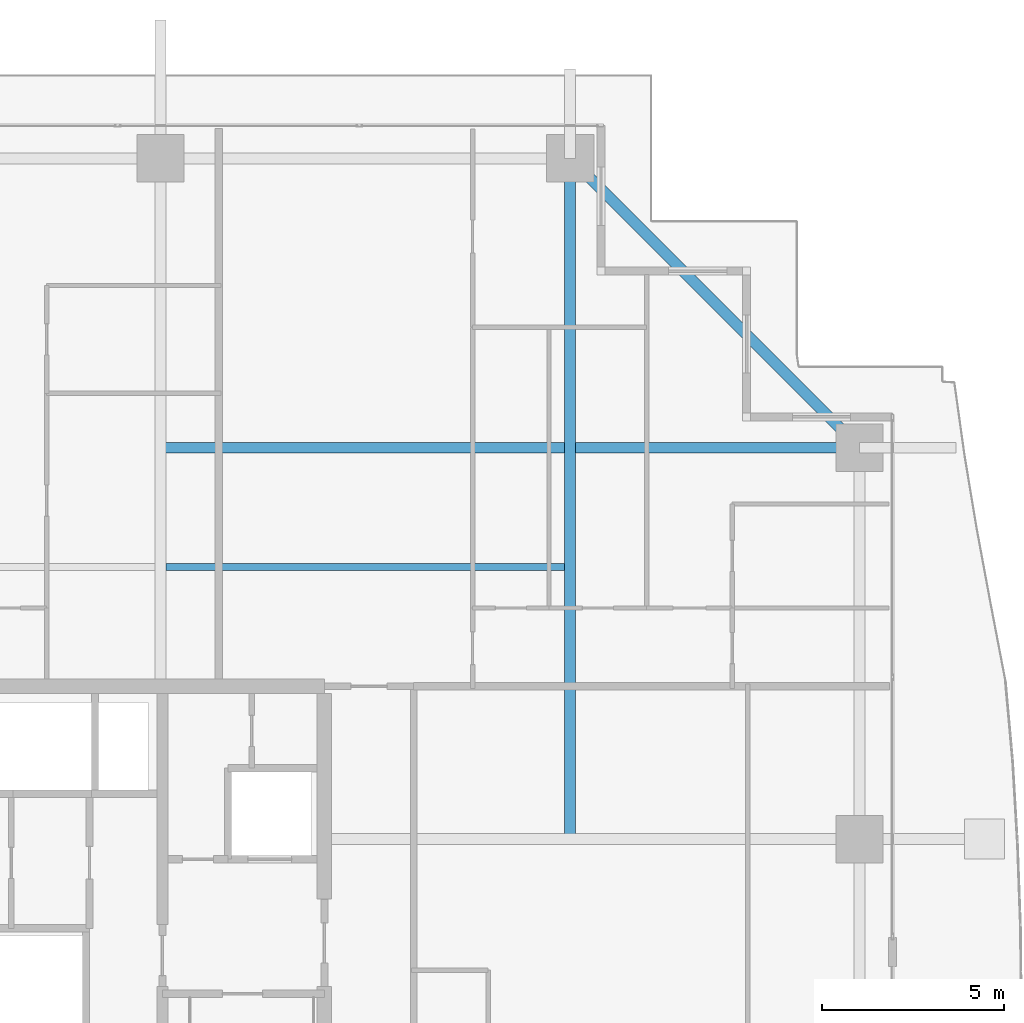
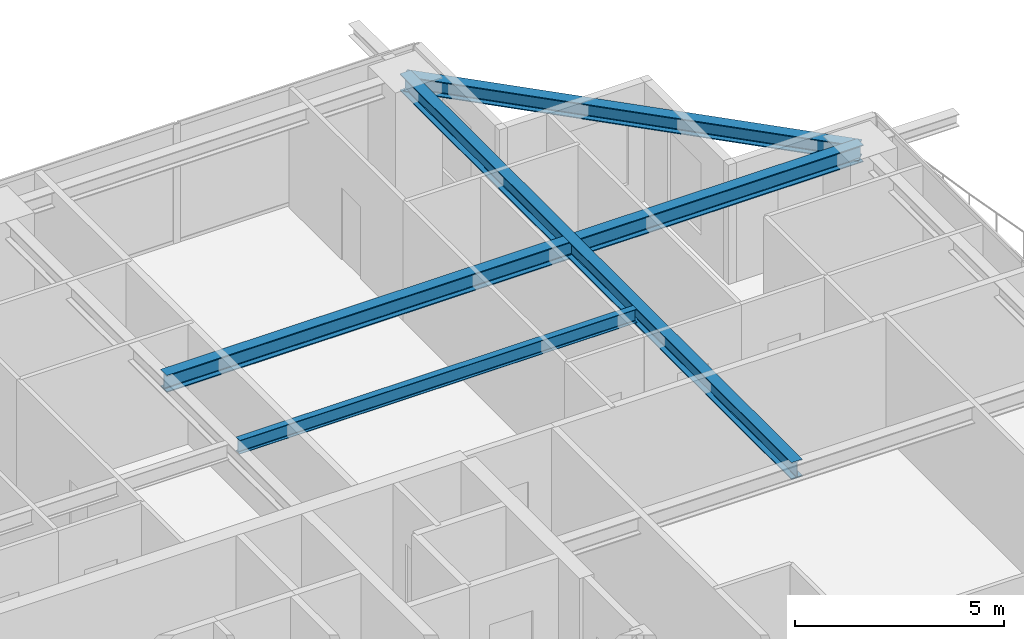
# One storey, part 23 of 38: 4 beams.
"""IFC4 building model written with IfcOpenShell, lengths in metres."""

import ifcopenshell
import ifcopenshell.guid

model = None  # the IFC model being written
_history = None  # IfcOwnerHistory: only IFC2X3 demands one
_inside = {}  # id of a spatial element -> (the spatial element, [elements in it])
_under = {}  # id of a project, library or spatial element -> (it, [spatial elements below it])
_declared = {}  # id of a project -> (the project, [libraries it declares])
_typed = {}  # id of a type object -> (the type object, [elements of that type])
_made_of = {}  # id of a material, layer set ... -> (it, [elements and type objects made of it])


def new_model(schema):
    """Start an empty IFC model of exactly this schema.

    Asked for "IFC4X3", IfcOpenShell would pick the latest addendum, in which some entities
    have other attributes; the version numbers below select the first issue.
    IFC2X3 requires an IfcOwnerHistory on every rooted entity: one is made here for all.
    """
    global model, _history
    if schema == "IFC4X3":
        model = ifcopenshell.file(schema_version=(4, 3, 0, 0))
    else:
        model = ifcopenshell.file(schema=schema)
    _inside.clear()
    _under.clear()
    _declared.clear()
    _typed.clear()
    _made_of.clear()
    _history = None
    if model.schema == "IFC2X3":
        org = make("IfcOrganization", Name="unknown")
        user = make(
            "IfcPersonAndOrganization",
            ThePerson=make("IfcPerson", FamilyName="unknown"),
            TheOrganization=org,
        )
        app = make(
            "IfcApplication",
            ApplicationDeveloper=org,
            Version="unknown",
            ApplicationFullName="unknown",
            ApplicationIdentifier="unknown",
        )
        _history = make(
            "IfcOwnerHistory",
            OwningUser=user,
            OwningApplication=app,
            ChangeAction="ADDED",
            CreationDate=0,
        )
    return model


def make(cls, **values):
    """One entity of the class cls with the attributes given. An attribute that is None is left unset."""
    return model.create_entity(
        cls, **{name: value for name, value in values.items() if value is not None}
    )


def rooted(cls, **values):
    """An entity with a GlobalId (a new one), such as an element, a storey or a relation."""
    return make(cls, GlobalId=ifcopenshell.guid.new(), OwnerHistory=_history, **values)


def si_unit(unit_type, name, prefix=None):
    """IfcSIUnit, for example si_unit("LENGTHUNIT", "METRE", prefix="MILLI")."""
    return make("IfcSIUnit", UnitType=unit_type, Prefix=prefix, Name=name)


def assignment(units):
    """IfcUnitAssignment: the units of a project."""
    return None if units is None else make("IfcUnitAssignment", Units=units)


def point(xyz):
    """IfcCartesianPoint."""
    return None if xyz is None else make("IfcCartesianPoint", Coordinates=xyz)


def direction(xyz):
    """IfcDirection."""
    return None if xyz is None else make("IfcDirection", DirectionRatios=xyz)


def frame(location, z_axis=None, x_axis=None):
    """IfcAxis2Placement3D, a coordinate frame: its origin and axes. An axis left out is left unset."""
    return make(
        "IfcAxis2Placement3D",
        Location=point(location),
        Axis=direction(z_axis),
        RefDirection=direction(x_axis),
    )


def frame_2d(location, x_axis=None):
    """IfcAxis2Placement2D, a coordinate frame in the plane: its origin and x axis."""
    return make(
        "IfcAxis2Placement2D", Location=point(location), RefDirection=direction(x_axis)
    )


def origin():
    """The frame at (0, 0, 0) with its axes left unset."""
    return frame((0.0, 0.0, 0.0))


def origin_2d():
    """The frame at (0, 0) in the plane with its x axis left unset."""
    return frame_2d((0.0, 0.0))


def place(relative_to, where):
    """IfcLocalPlacement: puts the frame where relative to a parent placement (None: the world)."""
    return make(
        "IfcLocalPlacement", PlacementRelTo=relative_to, RelativePlacement=where
    )


def context(
    kind, dimensions, precision=None, world=None, true_north=None, identifier=None
):
    """IfcGeometricRepresentationContext, for example the 3D "Model" context."""
    return make(
        "IfcGeometricRepresentationContext",
        ContextIdentifier=identifier,
        ContextType=kind,
        CoordinateSpaceDimension=dimensions,
        Precision=precision,
        WorldCoordinateSystem=world,
        TrueNorth=true_north,
    )


def subcontext(parent, identifier, kind, view, scale=None):
    """IfcGeometricRepresentationSubContext, for example "Body" below "Model"."""
    return make(
        "IfcGeometricRepresentationSubContext",
        ContextIdentifier=identifier,
        ContextType=kind,
        ParentContext=parent,
        TargetScale=scale,
        TargetView=view,
    )


def project(units=None, contexts=None):
    """IfcProject with its units and contexts."""
    return rooted(
        "IfcProject",
        Name="project",
        RepresentationContexts=contexts,
        UnitsInContext=assignment(units),
    )


def spatial(cls, under=None, at=None, **own):
    """A site, building, storey or space (cls), placed at a placement, below another one or the project."""
    s = rooted(cls, ObjectPlacement=at, **own)
    if under is not None:
        _under.setdefault(under.id(), (under, []))[1].append(s)
    return s


def profile(cls, at=None, kind="AREA", **sizes):
    """A parametric profile (cls). Its sizes go by their IFC names, for example OverallWidth=200.0."""
    return make(cls, ProfileType=kind, Position=at, **sizes)


def i_section(**sizes):
    """IfcIShapeProfileDef."""
    return profile("IfcIShapeProfileDef", **sizes)


def extrude(swept, where, along, depth):
    """IfcExtrudedAreaSolid: the profile swept, set in the frame where, extruded along a direction by depth."""
    return make(
        "IfcExtrudedAreaSolid",
        SweptArea=swept,
        Position=where,
        ExtrudedDirection=direction(along),
        Depth=depth,
    )


def shape(context_of_items, identifier, shape_type, items):
    """IfcShapeRepresentation: the items that make up one representation, for example the "Body"."""
    return make(
        "IfcShapeRepresentation",
        ContextOfItems=context_of_items,
        RepresentationIdentifier=identifier,
        RepresentationType=shape_type,
        Items=items,
    )


def source(mapping_origin, context_of_items, identifier, shape_type, items):
    """IfcRepresentationMap: a shape defined once, which mapped items show again and again."""
    return make(
        "IfcRepresentationMap",
        MappingOrigin=mapping_origin,
        MappedRepresentation=shape(context_of_items, identifier, shape_type, items),
    )


def transform(
    local_origin,
    x_axis=None,
    y_axis=None,
    z_axis=None,
    scale=None,
    scale2=None,
    scale3=None,
    uniform=True,
):
    """IfcCartesianTransformationOperator3D, or its non-uniform kind. x_axis, y_axis, z_axis: its Axis1, 2, 3."""
    if uniform:
        return make(
            "IfcCartesianTransformationOperator3D",
            Axis1=direction(x_axis),
            Axis2=direction(y_axis),
            LocalOrigin=point(local_origin),
            Scale=scale,
            Axis3=direction(z_axis),
        )
    return make(
        "IfcCartesianTransformationOperator3DnonUniform",
        Axis1=direction(x_axis),
        Axis2=direction(y_axis),
        LocalOrigin=point(local_origin),
        Scale=scale,
        Axis3=direction(z_axis),
        Scale2=scale2,
        Scale3=scale3,
    )


def mapped(mapping_source, mapping_target):
    """IfcMappedItem: shows the shape of a source again, moved by a transform."""
    return make(
        "IfcMappedItem", MappingSource=mapping_source, MappingTarget=mapping_target
    )


def material(Name=None, Category=None):
    """IfcMaterial."""
    return make("IfcMaterial", Name=Name, Category=Category)


def material_profile(
    of_material, cross_section, Name=None, Category=None, Priority=None
):
    """IfcMaterialProfile: a cross section and its material."""
    return make(
        "IfcMaterialProfile",
        Name=Name,
        Material=of_material,
        Profile=cross_section,
        Priority=Priority,
        Category=Category,
    )


def profile_set(profiles, Name=None, composite=None):
    """IfcMaterialProfileSet."""
    return make(
        "IfcMaterialProfileSet",
        Name=Name,
        MaterialProfiles=profiles,
        CompositeProfile=composite,
    )


def made_of(thing, what):
    """Note that an element or type object is made of a material, layer set ...; save() writes the relation."""
    if what is not None:
        _made_of.setdefault(what.id(), (what, []))[1].append(thing)
    return thing


def type_object(cls, material=None, **own):
    """A type object (cls), such as IfcWallType, which elements share."""
    return made_of(rooted(cls, **own), material)


def element(
    cls,
    number,
    at=None,
    inside=None,
    cuts=None,
    type_object=None,
    material=None,
    context=None,
    identifier="Body",
    shape_type=None,
    held_by="IfcProductDefinitionShape",
    body=None,
    shapes=None,
    **own,
):
    """One element of the class cls, such as IfcWall. Its Tag is "e" and its number.

    at: its placement. inside: the storey or other place that contains it. cuts: it is an
    opening in that element (IfcRelVoidsElement). A single representation is given by context,
    identifier, shape_type and body (its items); several are given by shapes. held_by: the class
    of the entity that holds the representations. save() writes the other relations.
    """
    e = rooted(cls, Tag="e%d" % number, ObjectPlacement=at, **own)
    if body is not None:
        shapes = [shape(context, identifier, shape_type, body)]
    if shapes is not None:
        e.Representation = make(held_by, Representations=shapes)
    if inside is not None:
        _inside.setdefault(inside.id(), (inside, []))[1].append(e)
    if cuts is not None:
        rooted(
            "IfcRelVoidsElement", RelatingBuildingElement=cuts, RelatedOpeningElement=e
        )
    if type_object is not None:
        _typed.setdefault(type_object.id(), (type_object, []))[1].append(e)
    return made_of(e, material)


def aggregate(whole, parts):
    """IfcRelAggregates: a whole, such as a stair, and the parts it consists of."""
    return rooted("IfcRelAggregates", RelatingObject=whole, RelatedObjects=parts)


def save(model, path):
    """Write the relations noted so far, then the file.

    IfcRelAggregates (storeys below a building ...), IfcRelContainedInSpatialStructure (elements
    in a storey), IfcRelDefinesByType, IfcRelAssociatesMaterial and IfcRelDeclares: one each for
    every whole, place, type object, material and project.
    """
    for whole, parts in _under.values():
        aggregate(whole, parts)
    for where, things in _inside.values():
        rooted(
            "IfcRelContainedInSpatialStructure",
            RelatedElements=things,
            RelatingStructure=where,
        )
    for kind, things in _typed.values():
        rooted("IfcRelDefinesByType", RelatedObjects=things, RelatingType=kind)
    for what, things in _made_of.values():
        rooted("IfcRelAssociatesMaterial", RelatedObjects=things, RelatingMaterial=what)
    for by, libraries in _declared.values():
        rooted("IfcRelDeclares", RelatingContext=by, RelatedDefinitions=libraries)
    model.write(path)


model = new_model("IFC4")

# Units and contexts
model_context = context("Model", 3, precision=1e-05, world=origin(), true_north=direction((0.0, 1.0)))
body_context = subcontext(model_context, "Body", "Model", "MODEL_VIEW")
ifc_project = project(units=[si_unit("LENGTHUNIT", "METRE"), si_unit("AREAUNIT", "SQUARE_METRE"), si_unit("VOLUMEUNIT", "CUBIC_METRE"), si_unit("PLANEANGLEUNIT", "RADIAN"), si_unit("MASSUNIT", "GRAM", prefix="KILO")], contexts=[model_context])

# Site, building, storey
site_placement = place(None, origin())
site = spatial("IfcSite", under=ifc_project, at=site_placement, CompositionType="ELEMENT")
building_placement = place(site_placement, origin())
building = spatial("IfcBuilding", under=site, at=building_placement, Name="Serunith Strait Residences", CompositionType="ELEMENT")
storey_placement = place(building_placement, frame((0.0, 0.0, 176.39990234375)))
storey = spatial("IfcBuildingStorey", under=building, at=storey_placement, Name="L44", CompositionType="ELEMENT", Elevation=176.39990234375)

# Beams
ifc_material = material(Name="Steel S355J2", Category="steel")
ifc_material_profile_1 = material_profile(ifc_material, i_section(OverallWidth=0.300048828125, OverallDepth=0.5, WebThickness=0.014404296875, FlangeThickness=0.028076171875, FilletRadius=0.027099609375, at=origin_2d()), Name="HEB 500")
ifc_profile_set_1 = profile_set([ifc_material_profile_1], Name="Steel S355J2")
beam_type_1 = type_object("IfcBeamType", Name="BM-HEB500", PredefinedType="BEAM", material=ifc_profile_set_1)
shared_shape_1 = source(origin(), body_context, "Body", "SweptSolid", [
    extrude(i_section(OverallWidth=0.300048828125, OverallDepth=0.5, WebThickness=0.014404296875, FlangeThickness=0.028076171875, FilletRadius=0.027099609375, at=origin_2d()), origin(), (0.0, 0.0, 1.0), 18.7001953125),
])
beam_1_placement = place(storey_placement, frame((48.14990234375, 29.39990234375, 3.237060546875), z_axis=(0.0, 1.0, 0.0), x_axis=(-1.0, 0.0, 0.0)))
element("IfcBeam", 1, at=beam_1_placement, inside=storey, type_object=beam_type_1, Name="L44 Orthogonal Corner Girder TC-N4", PredefinedType="BEAM", context=body_context, shape_type="MappedRepresentation", body=[
    mapped(shared_shape_1, transform((0.0, 0.0, 0.0), scale=1.0)),
])
shared_shape_2 = source(origin(), body_context, "Body", "SweptSolid", [
    extrude(i_section(OverallWidth=0.300048828125, OverallDepth=0.5, WebThickness=0.014404296875, FlangeThickness=0.028076171875, FilletRadius=0.027099609375, at=origin_2d()), origin(), (0.0, 0.0, 1.0), 19.2001953125),
])
beam_2_placement = place(storey_placement, frame((36.89990234375, 40.14990234375, 3.237060546875), z_axis=(1.0, 0.0, 0.0), x_axis=(0.0, 1.0, 0.0)))
element("IfcBeam", 2, at=beam_2_placement, inside=storey, type_object=beam_type_1, Name="L44 Orthogonal Corner Girder TC-E4", PredefinedType="BEAM", context=body_context, shape_type="MappedRepresentation", body=[
    mapped(shared_shape_2, transform((0.0, 0.0, 0.0), scale=1.0)),
])
ifc_material_profile_2 = material_profile(ifc_material, i_section(OverallWidth=0.300048828125, OverallDepth=0.449951171875, WebThickness=0.013916015625, FlangeThickness=0.02587890625, FilletRadius=0.027099609375, at=origin_2d()), Name="HEB 450")
ifc_profile_set_2 = profile_set([ifc_material_profile_2], Name="Steel S355J2")
beam_type_2 = type_object("IfcBeamType", Name="BM-HEB450", PredefinedType="BEAM", material=ifc_profile_set_2)
shared_shape_3 = source(origin(), body_context, "Body", "SweptSolid", [
    extrude(i_section(OverallWidth=0.300048828125, OverallDepth=0.449951171875, WebThickness=0.013916015625, FlangeThickness=0.02587890625, FilletRadius=0.027099609375, at=origin_2d()), origin(), (0.0, 0.0, 1.0), 11.2431640625),
])
beam_3_placement = place(storey_placement, frame((56.10009765625, 40.14990234375, 3.232177734375), z_axis=(-0.707106781187, 0.707106781187, 0.0), x_axis=(-0.707106781187, -0.707106781187, 0.0)))
element("IfcBeam", 3, at=beam_3_placement, inside=storey, type_object=beam_type_2, Name="L44 Perimeter Ring Beam 08", PredefinedType="BEAM", context=body_context, shape_type="MappedRepresentation", body=[
    mapped(shared_shape_3, transform((0.0, 0.0, 0.0), scale=1.0)),
])
ifc_material_profile_3 = material_profile(ifc_material, i_section(OverallWidth=0.179931640625, OverallDepth=0.39990234375, WebThickness=0.008544921875, FlangeThickness=0.013427734375, FilletRadius=0.02099609375, at=origin_2d()), Name="IPE 400")
ifc_profile_set_3 = profile_set([ifc_material_profile_3], Name="Steel S355J2")
beam_type_3 = type_object("IfcBeamType", Name="BM-IPE400", PredefinedType="JOIST", material=ifc_profile_set_3)
shared_shape_4 = source(origin(), body_context, "Body", "SweptSolid", [
    extrude(i_section(OverallWidth=0.179931640625, OverallDepth=0.39990234375, WebThickness=0.008544921875, FlangeThickness=0.013427734375, FilletRadius=0.02099609375, at=origin_2d()), origin(), (0.0, 0.0, 1.0), 10.949951171875),
])
beam_4_placement = place(storey_placement, frame((37.050048828125, 36.875, 3.287109375), z_axis=(1.0, 0.0, 0.0), x_axis=(0.0, 1.0, 0.0)))
element("IfcBeam", 4, at=beam_4_placement, inside=storey, type_object=beam_type_3, Name="L44 Composite Floor Joist 06", PredefinedType="JOIST", context=body_context, shape_type="MappedRepresentation", body=[
    mapped(shared_shape_4, transform((0.0, 0.0, 0.0), scale=1.0)),
])

save(model, "model.ifc")
